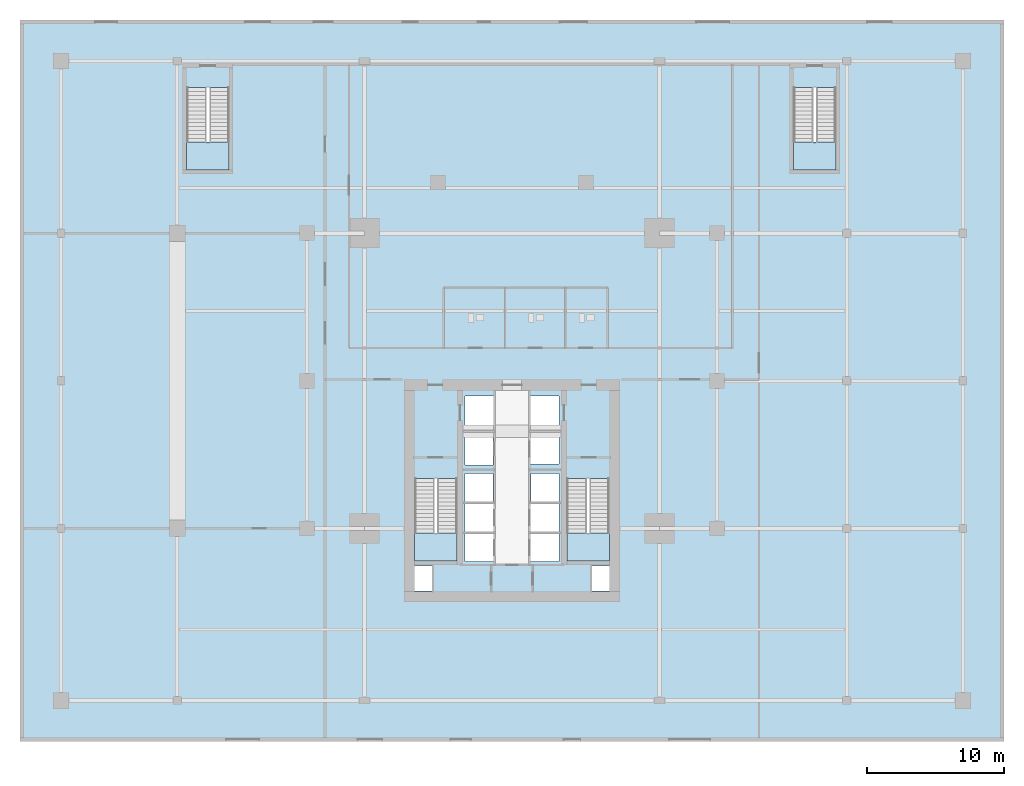
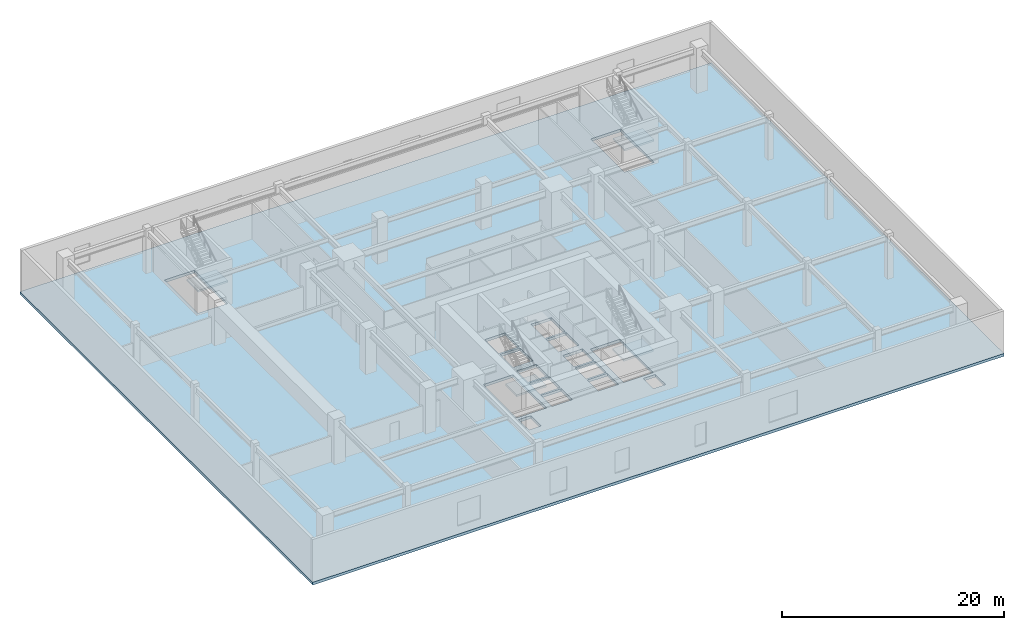
# One storey, part 2 of 10: 5 slabs, 4 elements without a shape of their own.
"""IFC4 building model written with IfcOpenShell, lengths in metres."""

from ifc_helpers import new_model, si_unit, direction, frame, origin, place, context, subcontext, project, spatial, polyline, outline, extrude, material, layer, layer_set, type_object, element, aggregate, save


model = new_model("IFC4")

# Units and contexts
model_context = context("Model", 3, precision=1e-05, world=origin(), true_north=direction((0.0, 1.0)))
body_context = subcontext(model_context, "Body", "Model", "MODEL_VIEW")
ifc_project = project(units=[si_unit("LENGTHUNIT", "METRE"), si_unit("AREAUNIT", "SQUARE_METRE"), si_unit("VOLUMEUNIT", "CUBIC_METRE"), si_unit("PLANEANGLEUNIT", "RADIAN"), si_unit("MASSUNIT", "GRAM", prefix="KILO")], contexts=[model_context])

# Site, building, storey
site_placement = place(None, origin())
site = spatial("IfcSite", under=ifc_project, at=site_placement, CompositionType="ELEMENT")
building_placement = place(site_placement, origin())
building = spatial("IfcBuilding", under=site, at=building_placement, Name="Krantzveldt Concourse Tower", CompositionType="ELEMENT")
storey_placement = place(building_placement, frame((0.0, 0.0, 5.39990234375)))
storey = spatial("IfcBuildingStorey", under=building, at=storey_placement, Name="L01", CompositionType="ELEMENT", Elevation=5.39990234375)

# Stair, slab
ifc_material_1 = material(Name="Precast concrete C40/50", Category="concrete")
stair_type = type_object("IfcStairType", Name="STR-CORE-DOGLEG", PredefinedType="HALF_TURN_STAIR", material=ifc_material_1)
stair_1_placement = place(storey_placement, origin())
stair_1 = element("IfcStair", 1, at=stair_1_placement, inside=storey, type_object=stair_type, Name="L01 Protected Escape Stair ST-1", PredefinedType="HALF_TURN_STAIR")
ifc_layer_1 = layer(ifc_material_1, 0.199951171875, Name="Precast concrete C40/50", Category="concrete")
ifc_layer_set_1 = layer_set([ifc_layer_1], Name="Precast concrete C40/50 (SL-LANDING-200)")
slab_type_1 = type_object("IfcSlabType", Name="SL-LANDING-200", PredefinedType="LANDING", material=ifc_layer_set_1)
slab_1_placement = place(storey_placement, frame((0.0, 0.0, 2.300048828125)))
slab_1 = element("IfcSlab", 2, at=slab_1_placement, type_object=slab_type_1, Name="ST-1 landing 1", PredefinedType="LANDING", context=body_context, shape_type="SweptSolid", body=[
    extrude(outline(polyline([(28.8798828125, 15.56005859375), (28.8798828125, 13.52001953125), (31.97998046875, 13.52001953125), (31.97998046875, 15.56005859375), (28.8798828125, 15.56005859375)])), origin(), (0.0, 0.0, 1.0), 0.199951171875),
])
aggregate(stair_1, [slab_1])

stair_2_placement = place(storey_placement, origin())
stair_2 = element("IfcStair", 3, at=stair_2_placement, inside=storey, type_object=stair_type, Name="L01 Protected Escape Stair ST-2", PredefinedType="HALF_TURN_STAIR")
slab_2_placement = place(storey_placement, frame((0.0, 0.0, 2.300048828125)))
slab_2 = element("IfcSlab", 4, at=slab_2_placement, type_object=slab_type_1, Name="ST-2 landing 1", PredefinedType="LANDING", context=body_context, shape_type="SweptSolid", body=[
    extrude(outline(polyline([(40.02001953125, 15.56005859375), (40.02001953125, 13.52001953125), (43.1201171875, 13.52001953125), (43.1201171875, 15.56005859375), (40.02001953125, 15.56005859375)])), origin(), (0.0, 0.0, 1.0), 0.199951171875),
])
aggregate(stair_2, [slab_2])

stair_3_placement = place(storey_placement, origin())
stair_3 = element("IfcStair", 5, at=stair_3_placement, inside=storey, type_object=stair_type, Name="L01 Podium Escape Stair ST-3", PredefinedType="HALF_TURN_STAIR")
slab_3_placement = place(storey_placement, frame((0.0, 0.0, 2.300048828125)))
slab_3 = element("IfcSlab", 6, at=slab_3_placement, type_object=slab_type_1, Name="ST-3 landing 1", PredefinedType="LANDING", context=body_context, shape_type="SweptSolid", body=[
    extrude(outline(polyline([(12.199951171875, 44.159912109375), (12.199951171875, 42.1201171875), (15.300048828125, 42.1201171875), (15.300048828125, 44.159912109375), (12.199951171875, 44.159912109375)])), origin(), (0.0, 0.0, 1.0), 0.199951171875),
])
aggregate(stair_3, [slab_3])

stair_4_placement = place(storey_placement, origin())
stair_4 = element("IfcStair", 7, at=stair_4_placement, inside=storey, type_object=stair_type, Name="L01 Podium Escape Stair ST-4", PredefinedType="HALF_TURN_STAIR")
slab_4_placement = place(storey_placement, frame((0.0, 0.0, 2.300048828125)))
slab_4 = element("IfcSlab", 8, at=slab_4_placement, type_object=slab_type_1, Name="ST-4 landing 1", PredefinedType="LANDING", context=body_context, shape_type="SweptSolid", body=[
    extrude(outline(polyline([(56.60009765625, 44.159912109375), (56.60009765625, 42.1201171875), (59.699951171875, 42.1201171875), (59.699951171875, 44.159912109375), (56.60009765625, 44.159912109375)])), origin(), (0.0, 0.0, 1.0), 0.199951171875),
])
aggregate(stair_4, [slab_4])

# Slab
ifc_material_2 = material(Name="Concrete C40/50", Category="concrete")
ifc_layer_2 = layer(ifc_material_2, 0.300048828125, Name="Concrete C40/50", Category="concrete")
ifc_layer_set_2 = layer_set([ifc_layer_2], Name="Concrete C40/50 (SL-SL-POD300)")
slab_type_2 = type_object("IfcSlabType", Name="SL-SL-POD300", PredefinedType="FLOOR", material=ifc_layer_set_2)
slab_5_placement = place(storey_placement, frame((0.0, 0.0, -0.2998046875)))
element("IfcSlab", 9, at=slab_5_placement, inside=storey, type_object=slab_type_2, Name="SL-L01-MAIN", PredefinedType="FLOOR", context=body_context, shape_type="SweptSolid", body=[
    extrude(outline(polyline([(0.0, 0.300048828125), (72.0, 0.300048828125), (72.0, 53.10009765625), (0.0, 53.10009765625), (0.0, 0.300048828125)]), holes=[polyline([(28.8798828125, 19.547607421875), (28.8798828125, 13.52001953125), (31.97998046875, 13.52001953125), (31.97998046875, 19.547607421875), (28.8798828125, 19.547607421875)]), polyline([(40.02001953125, 19.547607421875), (40.02001953125, 13.52001953125), (43.1201171875, 13.52001953125), (43.1201171875, 19.547607421875), (40.02001953125, 19.547607421875)]), polyline([(12.199951171875, 48.1474609375), (12.199951171875, 42.1201171875), (15.300048828125, 42.1201171875), (15.300048828125, 48.1474609375), (12.199951171875, 48.1474609375)]), polyline([(56.60009765625, 48.1474609375), (56.60009765625, 42.1201171875), (59.699951171875, 42.1201171875), (59.699951171875, 48.1474609375), (56.60009765625, 48.1474609375)]), polyline([(32.550048828125, 23.10009765625), (34.64990234375, 23.10009765625), (34.64990234375, 25.60009765625), (32.550048828125, 25.60009765625), (32.550048828125, 23.10009765625)]), polyline([(37.35009765625, 23.10009765625), (39.449951171875, 23.10009765625), (39.449951171875, 25.60009765625), (37.35009765625, 25.60009765625), (37.35009765625, 23.10009765625)]), polyline([(37.35009765625, 20.60009765625), (39.449951171875, 20.60009765625), (39.449951171875, 22.89990234375), (37.35009765625, 22.89990234375), (37.35009765625, 20.60009765625)]), polyline([(32.550048828125, 13.47998046875), (34.64990234375, 13.47998046875), (34.64990234375, 15.47998046875), (32.550048828125, 15.47998046875), (32.550048828125, 13.47998046875)]), polyline([(32.550048828125, 15.679931640625), (34.64990234375, 15.679931640625), (34.64990234375, 17.679931640625), (32.550048828125, 17.679931640625), (32.550048828125, 15.679931640625)]), polyline([(37.35009765625, 13.47998046875), (39.449951171875, 13.47998046875), (39.449951171875, 15.47998046875), (37.35009765625, 15.47998046875), (37.35009765625, 13.47998046875)]), polyline([(37.35009765625, 15.679931640625), (39.449951171875, 15.679931640625), (39.449951171875, 17.679931640625), (37.35009765625, 17.679931640625), (37.35009765625, 15.679931640625)]), polyline([(32.550048828125, 20.550048828125), (34.6201171875, 20.550048828125), (34.6201171875, 22.89990234375), (32.550048828125, 22.89990234375), (32.550048828125, 20.550048828125)]), polyline([(32.550048828125, 17.8798828125), (34.6201171875, 17.8798828125), (34.6201171875, 19.919921875), (32.550048828125, 19.919921875), (32.550048828125, 17.8798828125)]), polyline([(37.3798828125, 17.8798828125), (39.449951171875, 17.8798828125), (39.449951171875, 19.919921875), (37.3798828125, 19.919921875), (37.3798828125, 17.8798828125)]), polyline([(28.8798828125, 11.320068359375), (30.139892578125, 11.320068359375), (30.139892578125, 13.159912109375), (28.8798828125, 13.159912109375), (28.8798828125, 11.320068359375)]), polyline([(41.860107421875, 11.320068359375), (43.1201171875, 11.320068359375), (43.1201171875, 13.159912109375), (41.860107421875, 13.159912109375), (41.860107421875, 11.320068359375)])]), origin(), (0.0, 0.0, 1.0), 0.2998046875),
])

save(model, "model.ifc")
